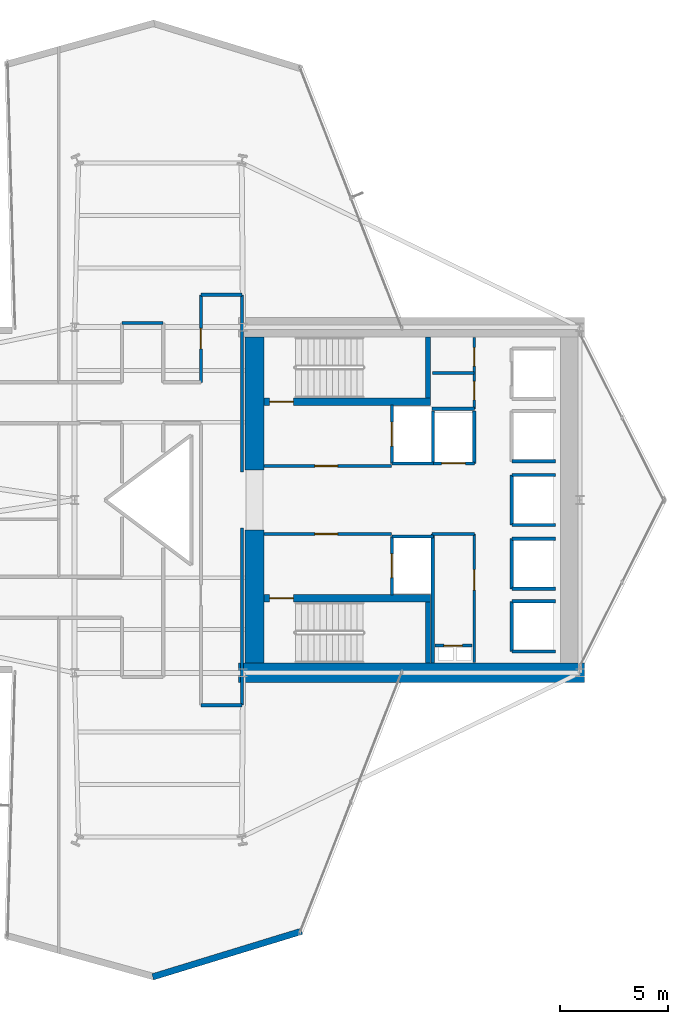
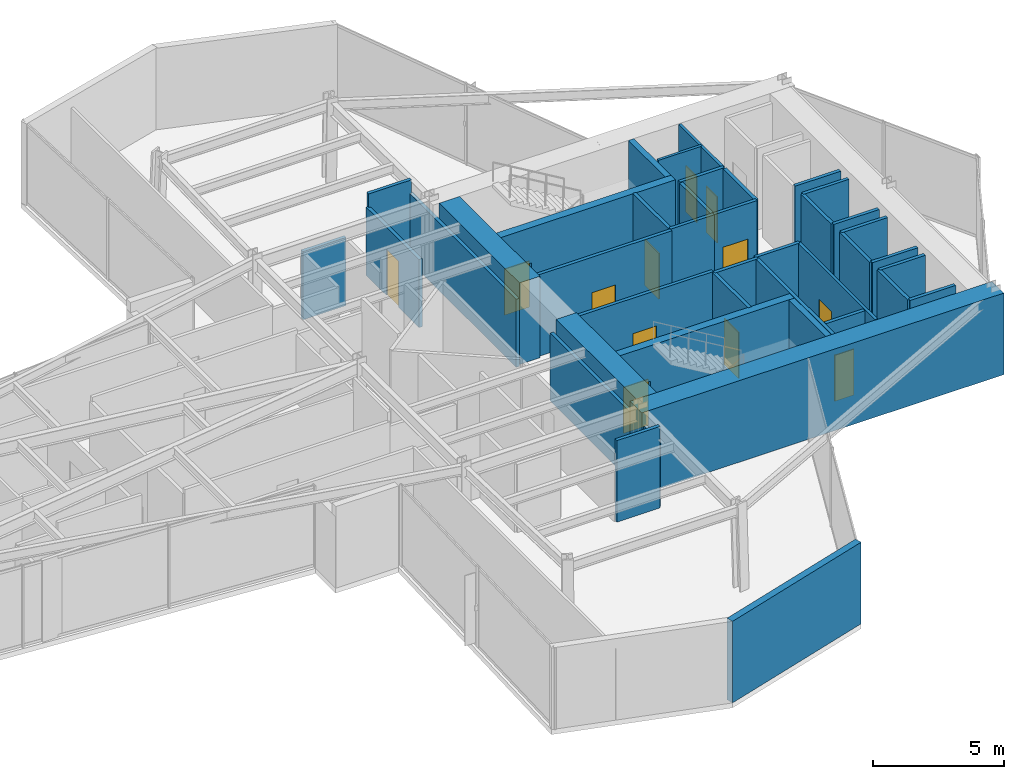
# One storey, part 27 of 29: 40 walls, 12 doors, 12 openings.
"""IFC4 building model written with IfcOpenShell, lengths in metres."""

from ifc_helpers import new_model, si_unit, direction, frame, frame_2d, origin, place, context, subcontext, project, spatial, rectangle, extrude, material, layer, layer_set, type_object, element, fill, save


model = new_model("IFC4")

# Units and contexts
model_context = context("Model", 3, precision=1e-05, world=origin(), true_north=direction((0.0, 1.0)))
body_context = subcontext(model_context, "Body", "Model", "MODEL_VIEW")
ifc_project = project(units=[si_unit("LENGTHUNIT", "METRE"), si_unit("AREAUNIT", "SQUARE_METRE"), si_unit("VOLUMEUNIT", "CUBIC_METRE"), si_unit("PLANEANGLEUNIT", "RADIAN"), si_unit("MASSUNIT", "GRAM", prefix="KILO")], contexts=[model_context])

# Site, building, storey
site_placement = place(None, origin())
site = spatial("IfcSite", under=ifc_project, at=site_placement, CompositionType="ELEMENT")
building_placement = place(site_placement, origin())
building = spatial("IfcBuilding", under=site, at=building_placement, Name="Veymaron Broadcast Tower", CompositionType="ELEMENT")
storey_placement = place(building_placement, frame((0.0, 0.0, 58.050048828125)))
storey = spatial("IfcBuildingStorey", under=building, at=storey_placement, Name="L12", CompositionType="ELEMENT", Elevation=58.050048828125)

# Wall
ifc_material_1 = material(Name="Precast concrete C40/50 with mineral-wool insulation", Category="concrete")
ifc_layer_1 = layer(ifc_material_1, 0.300048828125)
ifc_layer_set_1 = layer_set([ifc_layer_1], Name="Precast concrete C40/50 with mineral-wool insulation")
wall_type_1 = type_object("IfcWallType", Name="WALL-EXT-300", PredefinedType="STANDARD", material=ifc_layer_set_1)
wall_1_placement = place(storey_placement, frame((34.81494140625, 1.91796875, 0.0), z_axis=(0.0, 0.0, 1.0), x_axis=(0.956174816369, 0.292796380685, 0.0)))
element("IfcWall", 1, at=wall_1_placement, inside=storey, type_object=wall_type_1, Name="L12 notched corner facade pier 19-1", PredefinedType="STANDARD", context=body_context, shape_type="SweptSolid", body=[
    extrude(rectangle(XDim=7.212646484375, YDim=0.300048828125, at=frame_2d((3.6064453125, 0.0))), origin(), (0.0, 0.0, 1.0), 3.81005859375),
])

# Wall, opening, door
ifc_material_2 = material(Name="Gypsum fireboard and steel stud framing", Category="steel")
ifc_layer_2 = layer(ifc_material_2, 0.14990234375)
ifc_layer_set_2 = layer_set([ifc_layer_2], Name="Gypsum fireboard and steel stud framing")
wall_type_2 = type_object("IfcWallType", Name="WALL-FIRE-150", PredefinedType="PARTITIONING", material=ifc_layer_set_2)
wall_2_placement = place(storey_placement, frame((39.97998046875, 25.574951171875, 0.0), z_axis=(0.0, 0.0, 1.0), x_axis=(1.0, 0.0, 0.0)))
wall_2 = element("IfcWall", 2, at=wall_2_placement, inside=storey, type_object=wall_type_2, Name="L12 partition IW-L12-FFLN-S", PredefinedType="PARTITIONING", context=body_context, shape_type="SweptSolid", body=[
    extrude(rectangle(XDim=5.89990234375, YDim=0.14990234375, at=frame_2d((2.949951171875, 0.0))), origin(), (0.0, 0.0, 1.0), 3.81005859375),
])
opening_1_placement = place(wall_2_placement, frame((2.35009765625, 0.0, 0.0)))
opening_1 = element("IfcOpeningElement", 3, at=opening_1_placement, cuts=wall_2, Name="Opening ID-FL1", PredefinedType="OPENING", context=body_context, shape_type="SweptSolid", body=[
    extrude(rectangle(XDim=1.050048828125, YDim=2.14990234375, at=frame_2d((0.52490234375, 1.074951171875))), frame((0.0, 0.0849609375, 0.0), z_axis=(0.0, -1.0, 0.0), x_axis=(1.0, 0.0, 0.0)), (0.0, 0.0, 1.0), 0.169921875),
])
ifc_material_3 = material(Name="Fire-rated painted hollow steel ASTM A653", Category="steel")
door_type_1 = type_object("IfcDoorType", Name="DOOR-FIRE-1050", OperationType="NOTDEFINED", PredefinedType="DOOR", material=ifc_material_3)
door_1_placement = place(opening_1_placement, origin())
door_1 = element("IfcDoor", 4, at=door_1_placement, inside=storey, type_object=door_type_1, Name="L12 door DR-L12-FFLN", OperationType="SINGLE_SWING_LEFT", OverallHeight=2.14990234375, OverallWidth=1.050048828125, PredefinedType="DOOR", context=body_context, shape_type="SweptSolid", body=[
    extrude(rectangle(XDim=1.050048828125, YDim=2.14990234375, at=frame_2d((0.52490234375, 1.074951171875))), frame((0.0, 0.02490234375, 0.0), z_axis=(0.0, -1.0, 0.0), x_axis=(1.0, 0.0, 0.0)), (0.0, 0.0, 1.0), 0.050048828125),
])
fill(opening_1, door_1)

wall_3_placement = place(storey_placement, frame((39.97998046875, 22.425048828125, 0.0), z_axis=(0.0, 0.0, 1.0), x_axis=(1.0, 0.0, 0.0)))
wall_3 = element("IfcWall", 5, at=wall_3_placement, inside=storey, type_object=wall_type_2, Name="L12 partition IW-L12-FFLS-N", PredefinedType="PARTITIONING", context=body_context, shape_type="SweptSolid", body=[
    extrude(rectangle(XDim=5.89990234375, YDim=0.14990234375, at=frame_2d((2.949951171875, 0.0))), origin(), (0.0, 0.0, 1.0), 3.81005859375),
])
opening_2_placement = place(wall_3_placement, frame((2.35009765625, 0.0, 0.0)))
opening_2 = element("IfcOpeningElement", 6, at=opening_2_placement, cuts=wall_3, Name="Opening ID-FL1", PredefinedType="OPENING", context=body_context, shape_type="SweptSolid", body=[
    extrude(rectangle(XDim=1.050048828125, YDim=2.14990234375, at=frame_2d((0.52490234375, 1.074951171875))), frame((0.0, 0.0849609375, 0.0), z_axis=(0.0, -1.0, 0.0), x_axis=(1.0, 0.0, 0.0)), (0.0, 0.0, 1.0), 0.169921875),
])
door_2_placement = place(opening_2_placement, frame((1.050048828125, 0.0, 0.0), z_axis=(0.0, 0.0, 1.0), x_axis=(-1.0, 0.0, 0.0)))
door_2 = element("IfcDoor", 7, at=door_2_placement, inside=storey, type_object=door_type_1, Name="L12 door DR-L12-FFLS", OperationType="SINGLE_SWING_RIGHT", OverallHeight=2.14990234375, OverallWidth=1.050048828125, PredefinedType="DOOR", context=body_context, shape_type="SweptSolid", body=[
    extrude(rectangle(XDim=1.050048828125, YDim=2.14990234375, at=frame_2d((0.52490234375, 1.074951171875))), frame((0.0, 0.02490234375, 0.0), z_axis=(0.0, -1.0, 0.0), x_axis=(1.0, 0.0, 0.0)), (0.0, 0.0, 1.0), 0.050048828125),
])
fill(opening_2, door_2)

wall_4_placement = place(storey_placement, frame((45.89501953125, 25.68994140625, 0.0), z_axis=(0.0, 0.0, 1.0), x_axis=(0.0, 1.0, 0.0)))
wall_4 = element("IfcWall", 8, at=wall_4_placement, inside=storey, type_object=wall_type_2, Name="L12 partition IW-L12-SHW-FFL-1", PredefinedType="PARTITIONING", context=body_context, shape_type="SweptSolid", body=[
    extrude(rectangle(XDim=2.719970703125, YDim=0.14990234375, at=frame_2d((1.35986328125, 0.0))), origin(), (0.0, 0.0, 1.0), 3.81005859375),
])
opening_3_placement = place(wall_4_placement, frame((0.81005859375, 0.0, 0.0)))
opening_3 = element("IfcOpeningElement", 9, at=opening_3_placement, cuts=wall_4, Name="Opening LD", PredefinedType="OPENING", context=body_context, shape_type="SweptSolid", body=[
    extrude(rectangle(XDim=1.10009765625, YDim=2.14990234375, at=frame_2d((0.550048828125, 1.074951171875))), frame((0.0, 0.0849609375, 0.0), z_axis=(0.0, -1.0, 0.0), x_axis=(1.0, 0.0, 0.0)), (0.0, 0.0, 1.0), 0.169921875),
])
ifc_material_4 = material(Name="Brushed stainless steel AISI 304", Category="steel")
door_type_2 = type_object("IfcDoorType", Name="DOOR-LIFT-1100", OperationType="DOUBLE_DOOR_SLIDING", PredefinedType="DOOR", material=ifc_material_4)
door_3_placement = place(opening_3_placement, frame((1.10009765625, 0.0, 0.0), z_axis=(0.0, 0.0, 1.0), x_axis=(-1.0, 0.0, 0.0)))
door_3 = element("IfcDoor", 10, at=door_3_placement, inside=storey, type_object=door_type_2, Name="L12 door LD-L12-FFL-1", OperationType="DOUBLE_DOOR_SLIDING", OverallHeight=2.14990234375, OverallWidth=1.10009765625, PredefinedType="DOOR", context=body_context, shape_type="SweptSolid", body=[
    extrude(rectangle(XDim=1.10009765625, YDim=2.14990234375, at=frame_2d((0.550048828125, 1.074951171875))), frame((0.0, 0.02490234375, 0.0), z_axis=(0.0, -1.0, 0.0), x_axis=(1.0, 0.0, 0.0)), (0.0, 0.0, 1.0), 0.050048828125),
])
fill(opening_3, door_3)

# Wall
wall_5_placement = place(storey_placement, frame((45.89501953125, 25.68994140625, 0.0), z_axis=(0.0, 0.0, 1.0), x_axis=(1.0, 0.0, 0.0)))
element("IfcWall", 11, at=wall_5_placement, inside=storey, type_object=wall_type_2, Name="L12 partition IW-L12-SHS-FFL-1", PredefinedType="PARTITIONING", context=body_context, shape_type="SweptSolid", body=[
    extrude(rectangle(XDim=1.9150390625, YDim=0.14990234375, at=frame_2d((0.95751953125, 0.0))), origin(), (0.0, 0.0, 1.0), 3.81005859375),
])

# Wall, opening, door
wall_6_placement = place(storey_placement, frame((45.89501953125, 19.590087890625, 0.0), z_axis=(0.0, 0.0, 1.0), x_axis=(0.0, 1.0, 0.0)))
wall_6 = element("IfcWall", 12, at=wall_6_placement, inside=storey, type_object=wall_type_2, Name="L12 partition IW-L12-SHW-FFL-2", PredefinedType="PARTITIONING", context=body_context, shape_type="SweptSolid", body=[
    extrude(rectangle(XDim=2.719970703125, YDim=0.14990234375, at=frame_2d((1.35986328125, 0.0))), origin(), (0.0, 0.0, 1.0), 3.81005859375),
])
opening_4_placement = place(wall_6_placement, frame((0.81005859375, 0.0, 0.0)))
opening_4 = element("IfcOpeningElement", 13, at=opening_4_placement, cuts=wall_6, Name="Opening LD", PredefinedType="OPENING", context=body_context, shape_type="SweptSolid", body=[
    extrude(rectangle(XDim=1.10009765625, YDim=2.14990234375, at=frame_2d((0.550048828125, 1.074951171875))), frame((0.0, 0.0849609375, 0.0), z_axis=(0.0, -1.0, 0.0), x_axis=(1.0, 0.0, 0.0)), (0.0, 0.0, 1.0), 0.169921875),
])
door_4_placement = place(opening_4_placement, frame((1.10009765625, 0.0, 0.0), z_axis=(0.0, 0.0, 1.0), x_axis=(-1.0, 0.0, 0.0)))
door_4 = element("IfcDoor", 14, at=door_4_placement, inside=storey, type_object=door_type_2, Name="L12 door LD-L12-FFL-2", OperationType="DOUBLE_DOOR_SLIDING", OverallHeight=2.14990234375, OverallWidth=1.10009765625, PredefinedType="DOOR", context=body_context, shape_type="SweptSolid", body=[
    extrude(rectangle(XDim=1.10009765625, YDim=2.14990234375, at=frame_2d((0.550048828125, 1.074951171875))), frame((0.0, 0.02490234375, 0.0), z_axis=(0.0, -1.0, 0.0), x_axis=(1.0, 0.0, 0.0)), (0.0, 0.0, 1.0), 0.050048828125),
])
fill(opening_4, door_4)

# Wall
wall_7_placement = place(storey_placement, frame((45.89501953125, 22.31005859375, 0.0), z_axis=(0.0, 0.0, 1.0), x_axis=(1.0, 0.0, 0.0)))
element("IfcWall", 15, at=wall_7_placement, inside=storey, type_object=wall_type_2, Name="L12 partition IW-L12-SHN-FFL-2", PredefinedType="PARTITIONING", context=body_context, shape_type="SweptSolid", body=[
    extrude(rectangle(XDim=1.9150390625, YDim=0.14990234375, at=frame_2d((0.95751953125, 0.0))), origin(), (0.0, 0.0, 1.0), 3.81005859375),
])

# Wall, opening, door
wall_8_placement = place(storey_placement, frame((47.7900390625, 25.695068359375, 0.0), z_axis=(0.0, 0.0, 1.0), x_axis=(1.0, 0.0, 0.0)))
wall_8 = element("IfcWall", 16, at=wall_8_placement, inside=storey, type_object=wall_type_2, Name="L12 partition IW-L12-SHS-SL-1", PredefinedType="PARTITIONING", context=body_context, shape_type="SweptSolid", body=[
    extrude(rectangle(XDim=1.919921875, YDim=0.14990234375, at=frame_2d((0.9599609375, 0.0))), origin(), (0.0, 0.0, 1.0), 3.81005859375),
])
opening_5_placement = place(wall_8_placement, frame((0.409912109375, 0.0, 0.0)))
opening_5 = element("IfcOpeningElement", 17, at=opening_5_placement, cuts=wall_8, Name="Opening LD", PredefinedType="OPENING", context=body_context, shape_type="SweptSolid", body=[
    extrude(rectangle(XDim=1.10009765625, YDim=2.14990234375, at=frame_2d((0.550048828125, 1.074951171875))), frame((0.0, 0.0849609375, 0.0), z_axis=(0.0, -1.0, 0.0), x_axis=(1.0, 0.0, 0.0)), (0.0, 0.0, 1.0), 0.169921875),
])
door_5_placement = place(opening_5_placement, frame((1.10009765625, 0.0, 0.0), z_axis=(0.0, 0.0, 1.0), x_axis=(-1.0, 0.0, 0.0)))
door_5 = element("IfcDoor", 18, at=door_5_placement, inside=storey, type_object=door_type_2, Name="L12 door LD-L12-SL-1", OperationType="DOUBLE_DOOR_SLIDING", OverallHeight=2.14990234375, OverallWidth=1.10009765625, PredefinedType="DOOR", context=body_context, shape_type="SweptSolid", body=[
    extrude(rectangle(XDim=1.10009765625, YDim=2.14990234375, at=frame_2d((0.550048828125, 1.074951171875))), frame((0.0, 0.02490234375, 0.0), z_axis=(0.0, -1.0, 0.0), x_axis=(1.0, 0.0, 0.0)), (0.0, 0.0, 1.0), 0.050048828125),
])
fill(opening_5, door_5)

# Walls
for number, where, z_axis, x_axis, name in (
    (19, (47.7900390625, 25.695068359375, 0.0), (0.0, 0.0, 1.0), (0.0, 1.0, 0.0), "L12 partition IW-L12-SHW-SL-1"),
    (20, (49.7099609375, 25.695068359375, 0.0), (0.0, 0.0, 1.0), (0.0, 1.0, 0.0), "L12 partition IW-L12-SHE-SL-1"),
):
    element("IfcWall", number, at=place(storey_placement, frame(where, z_axis=z_axis, x_axis=x_axis)), inside=storey, type_object=wall_type_2, Name=name, PredefinedType="PARTITIONING", context=body_context, shape_type="SweptSolid", body=[
        extrude(rectangle(XDim=2.4150390625, YDim=0.14990234375, at=frame_2d((1.20751953125, 0.0))), origin(), (0.0, 0.0, 1.0), 3.81005859375),
    ])
wall_9_placement = place(storey_placement, frame((51.445068359375, 25.7900390625, 0.0), z_axis=(0.0, 0.0, 1.0), x_axis=(1.0, 0.0, 0.0)))
element("IfcWall", 21, at=wall_9_placement, inside=storey, type_object=wall_type_2, Name="L12 partition IW-L12-SHS-PM1", PredefinedType="PARTITIONING", context=body_context, shape_type="SweptSolid", body=[
    extrude(rectangle(XDim=2.014892578125, YDim=0.14990234375, at=frame_2d((1.00732421875, 0.0))), origin(), (0.0, 0.0, 1.0), 3.81005859375),
])
wall_10_placement = place(storey_placement, frame((51.445068359375, 19.889892578125, 0.0), z_axis=(0.0, 0.0, 1.0), x_axis=(0.0, 1.0, 0.0)))
element("IfcWall", 22, at=wall_10_placement, inside=storey, type_object=wall_type_2, Name="L12 partition IW-L12-SHW-PM2", PredefinedType="PARTITIONING", context=body_context, shape_type="SweptSolid", body=[
    extrude(rectangle(XDim=2.320068359375, YDim=0.14990234375, at=frame_2d((1.16015625, 0.0))), origin(), (0.0, 0.0, 1.0), 3.81005859375),
])
for number, where, z_axis, x_axis, name in (
    (23, (51.445068359375, 19.889892578125, 0.0), (0.0, 0.0, 1.0), (1.0, 0.0, 0.0), "L12 partition IW-L12-SHS-PM2"),
    (24, (51.445068359375, 22.2099609375, 0.0), (0.0, 0.0, 1.0), (1.0, 0.0, 0.0), "L12 partition IW-L12-SHN-PM2"),
):
    element("IfcWall", number, at=place(storey_placement, frame(where, z_axis=z_axis, x_axis=x_axis)), inside=storey, type_object=wall_type_2, Name=name, PredefinedType="PARTITIONING", context=body_context, shape_type="SweptSolid", body=[
        extrude(rectangle(XDim=2.014892578125, YDim=0.14990234375, at=frame_2d((1.00732421875, 0.0))), origin(), (0.0, 0.0, 1.0), 3.81005859375),
    ])
wall_11_placement = place(storey_placement, frame((51.445068359375, 22.840087890625, 0.0), z_axis=(0.0, 0.0, 1.0), x_axis=(0.0, 1.0, 0.0)))
element("IfcWall", 25, at=wall_11_placement, inside=storey, type_object=wall_type_2, Name="L12 partition IW-L12-SHW-PM3", PredefinedType="PARTITIONING", context=body_context, shape_type="SweptSolid", body=[
    extrude(rectangle(XDim=2.31982421875, YDim=0.14990234375, at=frame_2d((1.159912109375, 0.0))), origin(), (0.0, 0.0, 1.0), 3.81005859375),
])
for number, where, z_axis, x_axis, name in (
    (26, (51.445068359375, 22.840087890625, 0.0), (0.0, 0.0, 1.0), (1.0, 0.0, 0.0), "L12 partition IW-L12-SHS-PM3"),
    (27, (51.445068359375, 25.159912109375, 0.0), (0.0, 0.0, 1.0), (1.0, 0.0, 0.0), "L12 partition IW-L12-SHN-PM3"),
):
    element("IfcWall", number, at=place(storey_placement, frame(where, z_axis=z_axis, x_axis=x_axis)), inside=storey, type_object=wall_type_2, Name=name, PredefinedType="PARTITIONING", context=body_context, shape_type="SweptSolid", body=[
        extrude(rectangle(XDim=2.014892578125, YDim=0.14990234375, at=frame_2d((1.00732421875, 0.0))), origin(), (0.0, 0.0, 1.0), 3.81005859375),
    ])
wall_12_placement = place(storey_placement, frame((51.445068359375, 16.989990234375, 0.0), z_axis=(0.0, 0.0, 1.0), x_axis=(0.0, 1.0, 0.0)))
element("IfcWall", 28, at=wall_12_placement, inside=storey, type_object=wall_type_2, Name="L12 partition IW-L12-SHW-PH1", PredefinedType="PARTITIONING", context=body_context, shape_type="SweptSolid", body=[
    extrude(rectangle(XDim=2.320068359375, YDim=0.14990234375, at=frame_2d((1.16015625, 0.0))), origin(), (0.0, 0.0, 1.0), 3.81005859375),
])
for number, where, z_axis, x_axis, name in (
    (29, (51.445068359375, 16.989990234375, 0.0), (0.0, 0.0, 1.0), (1.0, 0.0, 0.0), "L12 partition IW-L12-SHS-PH1"),
    (30, (51.445068359375, 19.31005859375, 0.0), (0.0, 0.0, 1.0), (1.0, 0.0, 0.0), "L12 partition IW-L12-SHN-PH1"),
):
    element("IfcWall", number, at=place(storey_placement, frame(where, z_axis=z_axis, x_axis=x_axis)), inside=storey, type_object=wall_type_2, Name=name, PredefinedType="PARTITIONING", context=body_context, shape_type="SweptSolid", body=[
        extrude(rectangle(XDim=2.014892578125, YDim=0.14990234375, at=frame_2d((1.00732421875, 0.0))), origin(), (0.0, 0.0, 1.0), 3.81005859375),
    ])

# Wall, opening, door
wall_13_placement = place(storey_placement, frame((47.8798828125, 17.260009765625, 0.0), z_axis=(0.0, 0.0, 1.0), x_axis=(1.0, 0.0, 0.0)))
wall_13 = element("IfcWall", 31, at=wall_13_placement, inside=storey, type_object=wall_type_2, Name="L12 partition IW-L12-RIS-N", PredefinedType="PARTITIONING", context=body_context, shape_type="SweptSolid", body=[
    extrude(rectangle(XDim=1.72021484375, YDim=0.14990234375, at=frame_2d((0.860107421875, 0.0))), origin(), (0.0, 0.0, 1.0), 3.81005859375),
])
opening_6_placement = place(wall_13_placement, frame((0.419921875, 0.0, 0.0)))
opening_6 = element("IfcOpeningElement", 32, at=opening_6_placement, cuts=wall_13, Name="Opening ID-RS1", PredefinedType="OPENING", context=body_context, shape_type="SweptSolid", body=[
    extrude(rectangle(XDim=0.85009765625, YDim=2.14990234375, at=frame_2d((0.425048828125, 1.074951171875))), frame((0.0, 0.0849609375, 0.0), z_axis=(0.0, -1.0, 0.0), x_axis=(1.0, 0.0, 0.0)), (0.0, 0.0, 1.0), 0.169921875),
])
ifc_material_5 = material(Name="Fire-rated powder-coated steel riser leaf", Category="steel")
door_type_3 = type_object("IfcDoorType", Name="DOOR-RIS-850", OperationType="NOTDEFINED", PredefinedType="TRAPDOOR", material=ifc_material_5)
door_6_placement = place(opening_6_placement, origin())
door_6 = element("IfcDoor", 33, at=door_6_placement, inside=storey, type_object=door_type_3, Name="L12 door DR-L12-RIS", OperationType="SINGLE_SWING_LEFT", OverallHeight=2.14990234375, OverallWidth=0.85009765625, PredefinedType="TRAPDOOR", context=body_context, shape_type="SweptSolid", body=[
    extrude(rectangle(XDim=0.85009765625, YDim=2.14990234375, at=frame_2d((0.425048828125, 1.074951171875))), frame((0.0, 0.02490234375, 0.0), z_axis=(0.0, -1.0, 0.0), x_axis=(1.0, 0.0, 0.0)), (0.0, 0.0, 1.0), 0.050048828125),
])
fill(opening_6, door_6)

# Walls
wall_14_placement = place(storey_placement, frame((47.760009765625, 22.425048828125, 0.0), z_axis=(0.0, 0.0, 1.0), x_axis=(1.0, 0.0, 0.0)))
element("IfcWall", 34, at=wall_14_placement, inside=storey, type_object=wall_type_2, Name="L12 partition IW-L12-SM-N", PredefinedType="PARTITIONING", context=body_context, shape_type="SweptSolid", body=[
    extrude(rectangle(XDim=1.9599609375, YDim=0.14990234375, at=frame_2d((0.97998046875, 0.0))), origin(), (0.0, 0.0, 1.0), 3.81005859375),
])
wall_15_placement = place(storey_placement, frame((47.780029296875, 16.449951171875, 0.0), z_axis=(0.0, 0.0, 1.0), x_axis=(0.0, 1.0, 0.0)))
element("IfcWall", 35, at=wall_15_placement, inside=storey, type_object=wall_type_2, Name="L12 partition IW-L12-SM-W", PredefinedType="PARTITIONING", context=body_context, shape_type="SweptSolid", body=[
    extrude(rectangle(XDim=5.97509765625, YDim=0.14990234375, at=frame_2d((2.987548828125, 0.0))), origin(), (0.0, 0.0, 1.0), 3.81005859375),
])
wall_16_placement = place(storey_placement, frame((47.760009765625, 28.219970703125, 0.0), z_axis=(0.0, 0.0, 1.0), x_axis=(1.0, 0.0, 0.0)))
element("IfcWall", 36, at=wall_16_placement, inside=storey, type_object=wall_type_2, Name="L12 partition IW-L12-NM-S", PredefinedType="PARTITIONING", context=body_context, shape_type="SweptSolid", body=[
    extrude(rectangle(XDim=1.9599609375, YDim=0.14990234375, at=frame_2d((0.97998046875, 0.0))), origin(), (0.0, 0.0, 1.0), 3.81005859375),
])

# Wall, opening, door
wall_17_placement = place(storey_placement, frame((37.050048828125, 29.449951171875, 0.0), z_axis=(0.0, 0.0, 1.0), x_axis=(0.0, 1.0, 0.0)))
wall_17 = element("IfcWall", 37, at=wall_17_placement, inside=storey, type_object=wall_type_2, Name="L12 partition IW-L12-P31", PredefinedType="PARTITIONING", context=body_context, shape_type="SweptSolid", body=[
    extrude(rectangle(XDim=4.050048828125, YDim=0.14990234375, at=frame_2d((2.02490234375, 0.0))), origin(), (0.0, 0.0, 1.0), 3.180908203125),
])
opening_7_placement = place(wall_17_placement, frame((1.550048828125, 0.0, 0.0)))
opening_7 = element("IfcOpeningElement", 38, at=opening_7_placement, cuts=wall_17, Name="Opening ID-RM1", PredefinedType="OPENING", context=body_context, shape_type="SweptSolid", body=[
    extrude(rectangle(XDim=0.949951171875, YDim=2.14990234375, at=frame_2d((0.47509765625, 1.074951171875))), frame((0.0, 0.0849609375, 0.0), z_axis=(0.0, -1.0, 0.0), x_axis=(1.0, 0.0, 0.0)), (0.0, 0.0, 1.0), 0.169921875),
])
ifc_material_6 = material(Name="Acoustic solid-core European oak veneer timber", Category="wood")
door_type_4 = type_object("IfcDoorType", Name="DOOR-INT-950", OperationType="NOTDEFINED", PredefinedType="DOOR", material=ifc_material_6)
door_7_placement = place(opening_7_placement, origin())
door_7 = element("IfcDoor", 39, at=door_7_placement, inside=storey, type_object=door_type_4, Name="L12 door DR-L12-P31", OperationType="SINGLE_SWING_RIGHT", OverallHeight=2.14990234375, OverallWidth=0.949951171875, PredefinedType="DOOR", context=body_context, shape_type="SweptSolid", body=[
    extrude(rectangle(XDim=0.949951171875, YDim=2.14990234375, at=frame_2d((0.47509765625, 1.074951171875))), frame((0.0, 0.02490234375, 0.0), z_axis=(0.0, -1.0, 0.0), x_axis=(1.0, 0.0, 0.0)), (0.0, 0.0, 1.0), 0.050048828125),
])
fill(opening_7, door_7)

# Walls
wall_18_placement = place(storey_placement, frame((38.949951171875, 14.5, 0.0), z_axis=(0.0, 0.0, 1.0), x_axis=(0.0, 1.0, 0.0)))
element("IfcWall", 40, at=wall_18_placement, inside=storey, type_object=wall_type_2, Name="L12 partition IW-L12-P02", PredefinedType="PARTITIONING", context=body_context, shape_type="SweptSolid", body=[
    extrude(rectangle(XDim=8.199951171875, YDim=0.14990234375, at=frame_2d((4.10009765625, 0.0))), origin(), (0.0, 0.0, 1.0), 3.180908203125),
])
wall_19_placement = place(storey_placement, frame((37.050048828125, 14.5, 0.0), z_axis=(0.0, 0.0, 1.0), x_axis=(1.0, 0.0, 0.0)))
element("IfcWall", 41, at=wall_19_placement, inside=storey, type_object=wall_type_2, Name="L12 partition IW-L12-P06", PredefinedType="PARTITIONING", context=body_context, shape_type="SweptSolid", body=[
    extrude(rectangle(XDim=1.89990234375, YDim=0.14990234375, at=frame_2d((0.949951171875, 0.0))), origin(), (0.0, 0.0, 1.0), 3.81005859375),
])
wall_20_placement = place(storey_placement, frame((38.949951171875, 25.300048828125, 0.0), z_axis=(0.0, 0.0, 1.0), x_axis=(0.0, 1.0, 0.0)))
element("IfcWall", 42, at=wall_20_placement, inside=storey, type_object=wall_type_2, Name="L12 partition IW-L12-P30", PredefinedType="PARTITIONING", context=body_context, shape_type="SweptSolid", body=[
    extrude(rectangle(XDim=8.199951171875, YDim=0.14990234375, at=frame_2d((4.10009765625, 0.0))), origin(), (0.0, 0.0, 1.0), 3.180908203125),
])
wall_21_placement = place(storey_placement, frame((37.050048828125, 33.5, 0.0), z_axis=(0.0, 0.0, 1.0), x_axis=(1.0, 0.0, 0.0)))
element("IfcWall", 43, at=wall_21_placement, inside=storey, type_object=wall_type_2, Name="L12 partition IW-L12-P35", PredefinedType="PARTITIONING", context=body_context, shape_type="SweptSolid", body=[
    extrude(rectangle(XDim=1.89990234375, YDim=0.14990234375, at=frame_2d((0.949951171875, 0.0))), origin(), (0.0, 0.0, 1.0), 3.81005859375),
])
wall_22_placement = place(storey_placement, frame((33.39990234375, 32.199951171875, 0.0), z_axis=(0.0, 0.0, 1.0), x_axis=(1.0, 0.0, 0.0)))
element("IfcWall", 44, at=wall_22_placement, inside=storey, type_object=wall_type_2, Name="L12 partition IW-L12-P36", PredefinedType="PARTITIONING", context=body_context, shape_type="SweptSolid", body=[
    extrude(rectangle(XDim=1.900146484375, YDim=0.14990234375, at=frame_2d((0.9501953125, 0.0))), origin(), (0.0, 0.0, 1.0), 3.180908203125),
])

# Wall, opening, door
ifc_material_7 = material(Name="Acoustic gypsum board and galvanized stud", Category="gypsum")
ifc_layer_3 = layer(ifc_material_7, 0.1201171875)
ifc_layer_set_3 = layer_set([ifc_layer_3], Name="Acoustic gypsum board and galvanized stud")
wall_type_3 = type_object("IfcWallType", Name="WALL-PART-120", PredefinedType="PARTITIONING", material=ifc_layer_set_3)
wall_23_placement = place(storey_placement, frame((49.699951171875, 16.47998046875, 0.0), z_axis=(0.0, 0.0, 1.0), x_axis=(0.0, 1.0, 0.0)))
wall_23 = element("IfcWall", 45, at=wall_23_placement, inside=storey, type_object=wall_type_3, Name="L12 partition IW-L12-SM-E", PredefinedType="PARTITIONING", context=body_context, shape_type="SweptSolid", body=[
    extrude(rectangle(XDim=5.945068359375, YDim=0.1201171875, at=frame_2d((2.97265625, 0.0))), origin(), (0.0, 0.0, 1.0), 3.81005859375),
])
opening_8_placement = place(wall_23_placement, frame((3.35009765625, 0.0, 0.0)))
opening_8 = element("IfcOpeningElement", 46, at=opening_8_placement, cuts=wall_23, Name="Opening ID-RM1", PredefinedType="OPENING", context=body_context, shape_type="SweptSolid", body=[
    extrude(rectangle(XDim=0.949951171875, YDim=2.14990234375, at=frame_2d((0.47509765625, 1.074951171875))), frame((0.0, 0.070068359375, 0.0), z_axis=(0.0, -1.0, 0.0), x_axis=(1.0, 0.0, 0.0)), (0.0, 0.0, 1.0), 0.14013671875),
])
door_8_placement = place(opening_8_placement, frame((0.949951171875, 0.0, 0.0), z_axis=(0.0, 0.0, 1.0), x_axis=(-1.0, 0.0, 0.0)))
door_8 = element("IfcDoor", 47, at=door_8_placement, inside=storey, type_object=door_type_4, Name="L12 door DR-L12-AWC", OperationType="SINGLE_SWING_LEFT", OverallHeight=2.14990234375, OverallWidth=0.949951171875, PredefinedType="DOOR", context=body_context, shape_type="SweptSolid", body=[
    extrude(rectangle(XDim=0.949951171875, YDim=2.14990234375, at=frame_2d((0.47509765625, 1.074951171875))), frame((0.0, 0.02490234375, 0.0), z_axis=(0.0, -1.0, 0.0), x_axis=(1.0, 0.0, 0.0)), (0.0, 0.0, 1.0), 0.050048828125),
])
fill(opening_8, door_8)

# Wall
wall_24_placement = place(storey_placement, frame((47.780029296875, 29.8798828125, 0.0), z_axis=(0.0, 0.0, 1.0), x_axis=(1.0, 0.0, 0.0)))
element("IfcWall", 48, at=wall_24_placement, inside=storey, type_object=wall_type_3, Name="L12 partition IW-L12-NM-M", PredefinedType="PARTITIONING", context=body_context, shape_type="SweptSolid", body=[
    extrude(rectangle(XDim=1.919921875, YDim=0.1201171875, at=frame_2d((0.9599609375, 0.0))), origin(), (0.0, 0.0, 1.0), 3.81005859375),
])

# Wall, openings, doors
wall_25_placement = place(storey_placement, frame((49.699951171875, 28.219970703125, 0.0), z_axis=(0.0, 0.0, 1.0), x_axis=(0.0, 1.0, 0.0)))
wall_25 = element("IfcWall", 49, at=wall_25_placement, inside=storey, type_object=wall_type_3, Name="L12 partition IW-L12-NM-E", PredefinedType="PARTITIONING", context=body_context, shape_type="SweptSolid", body=[
    extrude(rectangle(XDim=3.300048828125, YDim=0.1201171875, at=frame_2d((1.64990234375, 0.0))), origin(), (0.0, 0.0, 1.0), 3.81005859375),
])
opening_9_placement = place(wall_25_placement, frame((0.419921875, 0.0, 0.0)))
opening_9 = element("IfcOpeningElement", 50, at=opening_9_placement, cuts=wall_25, Name="Opening ID-WC1", PredefinedType="OPENING", context=body_context, shape_type="SweptSolid", body=[
    extrude(rectangle(XDim=0.85009765625, YDim=2.14990234375, at=frame_2d((0.425048828125, 1.074951171875))), frame((0.0, 0.070068359375, 0.0), z_axis=(0.0, -1.0, 0.0), x_axis=(1.0, 0.0, 0.0)), (0.0, 0.0, 1.0), 0.14013671875),
])
opening_10_placement = place(wall_25_placement, frame((1.97998046875, 0.0, 0.0)))
opening_10 = element("IfcOpeningElement", 51, at=opening_10_placement, cuts=wall_25, Name="Opening ID-WC1", PredefinedType="OPENING", context=body_context, shape_type="SweptSolid", body=[
    extrude(rectangle(XDim=0.85009765625, YDim=2.14990234375, at=frame_2d((0.425048828125, 1.074951171875))), frame((0.0, 0.070068359375, 0.0), z_axis=(0.0, -1.0, 0.0), x_axis=(1.0, 0.0, 0.0)), (0.0, 0.0, 1.0), 0.14013671875),
])
ifc_material_8 = material(Name="Moisture-resistant high-pressure laminate timber", Category="wood")
door_type_5 = type_object("IfcDoorType", Name="DOOR-INT-850", OperationType="NOTDEFINED", PredefinedType="DOOR", material=ifc_material_8)
door_9_placement = place(opening_9_placement, frame((0.85009765625, 0.0, 0.0), z_axis=(0.0, 0.0, 1.0), x_axis=(-1.0, 0.0, 0.0)))
door_9 = element("IfcDoor", 52, at=door_9_placement, inside=storey, type_object=door_type_5, Name="L12 door DR-L12-NMA", OperationType="SINGLE_SWING_LEFT", OverallHeight=2.14990234375, OverallWidth=0.85009765625, PredefinedType="DOOR", context=body_context, shape_type="SweptSolid", body=[
    extrude(rectangle(XDim=0.85009765625, YDim=2.14990234375, at=frame_2d((0.425048828125, 1.074951171875))), frame((0.0, 0.02490234375, 0.0), z_axis=(0.0, -1.0, 0.0), x_axis=(1.0, 0.0, 0.0)), (0.0, 0.0, 1.0), 0.050048828125),
])
fill(opening_9, door_9)
door_10_placement = place(opening_10_placement, frame((0.85009765625, 0.0, 0.0), z_axis=(0.0, 0.0, 1.0), x_axis=(-1.0, 0.0, 0.0)))
door_10 = element("IfcDoor", 53, at=door_10_placement, inside=storey, type_object=door_type_5, Name="L12 door DR-L12-NMB", OperationType="SINGLE_SWING_RIGHT", OverallHeight=2.14990234375, OverallWidth=0.85009765625, PredefinedType="DOOR", context=body_context, shape_type="SweptSolid", body=[
    extrude(rectangle(XDim=0.85009765625, YDim=2.14990234375, at=frame_2d((0.425048828125, 1.074951171875))), frame((0.0, 0.02490234375, 0.0), z_axis=(0.0, -1.0, 0.0), x_axis=(1.0, 0.0, 0.0)), (0.0, 0.0, 1.0), 0.050048828125),
])
fill(opening_10, door_10)

# Walls
ifc_material_9 = material(Name="Concrete C50/60", Category="concrete")
ifc_layer_4 = layer(ifc_material_9, 0.25)
ifc_layer_set_4 = layer_set([ifc_layer_4], Name="Concrete C50/60")
wall_type_4 = type_object("IfcWallType", Name="WALL-SHEAR-250", PredefinedType="SHEAR", material=ifc_layer_set_4)
for number, where, z_axis, x_axis, name in (
    (54, (47.56494140625, 28.72998046875, 0.0), (0.0, 0.0, 1.0), (0.0, 1.0, 0.0), "L12 Core Wall north stair east shear"),
    (55, (47.56494140625, 16.449951171875, 0.0), (0.0, 0.0, 1.0), (0.0, 1.0, 0.0), "L12 Core Wall south stair east shear"),
):
    element("IfcWall", number, at=place(storey_placement, frame(where, z_axis=z_axis, x_axis=x_axis)), inside=storey, type_object=wall_type_4, Name=name, PredefinedType="SHEAR", context=body_context, shape_type="SweptSolid", body=[
        extrude(rectangle(XDim=2.820068359375, YDim=0.25, at=frame_2d((1.41015625, 0.0))), origin(), (0.0, 0.0, 1.0), 3.81005859375),
    ])

# Wall, opening, door
ifc_layer_5 = layer(ifc_material_9, 0.35009765625)
ifc_layer_set_5 = layer_set([ifc_layer_5], Name="Concrete C50/60")
wall_type_5 = type_object("IfcWallType", Name="WALL-SHEAR-350", PredefinedType="SHEAR", material=ifc_layer_set_5)
wall_26_placement = place(storey_placement, frame((39.97998046875, 28.554931640625, 0.0), z_axis=(0.0, 0.0, 1.0), x_axis=(1.0, 0.0, 0.0)))
wall_26 = element("IfcWall", 56, at=wall_26_placement, inside=storey, type_object=wall_type_5, Name="L12 Core Wall north stair spine", PredefinedType="SHEAR", context=body_context, shape_type="SweptSolid", body=[
    extrude(rectangle(XDim=7.7099609375, YDim=0.35009765625, at=frame_2d((3.85498046875, 0.0))), origin(), (0.0, 0.0, 1.0), 3.81005859375),
])
opening_11_placement = place(wall_26_placement, frame((0.25, 0.0, 0.0)))
opening_11 = element("IfcOpeningElement", 57, at=opening_11_placement, cuts=wall_26, Name="Opening ID-ST1", PredefinedType="OPENING", context=body_context, shape_type="SweptSolid", body=[
    extrude(rectangle(XDim=1.10009765625, YDim=2.14990234375, at=frame_2d((0.550048828125, 1.074951171875))), frame((0.0, 0.18505859375, 0.0), z_axis=(0.0, -1.0, 0.0), x_axis=(1.0, 0.0, 0.0)), (0.0, 0.0, 1.0), 0.3701171875),
])
door_type_6 = type_object("IfcDoorType", Name="DOOR-STAIR-1100", OperationType="NOTDEFINED", PredefinedType="DOOR", material=ifc_material_3)
door_11_placement = place(opening_11_placement, origin())
door_11 = element("IfcDoor", 58, at=door_11_placement, inside=storey, type_object=door_type_6, Name="L12 exit stair ST1 fire door", OperationType="SINGLE_SWING_LEFT", OverallHeight=2.14990234375, OverallWidth=1.10009765625, PredefinedType="DOOR", context=body_context, shape_type="SweptSolid", body=[
    extrude(rectangle(XDim=1.10009765625, YDim=2.14990234375, at=frame_2d((0.550048828125, 1.074951171875))), frame((0.0, 0.02490234375, 0.0), z_axis=(0.0, -1.0, 0.0), x_axis=(1.0, 0.0, 0.0)), (0.0, 0.0, 1.0), 0.050048828125),
])
fill(opening_11, door_11)

wall_27_placement = place(storey_placement, frame((39.97998046875, 19.445068359375, 0.0), z_axis=(0.0, 0.0, 1.0), x_axis=(1.0, 0.0, 0.0)))
wall_27 = element("IfcWall", 59, at=wall_27_placement, inside=storey, type_object=wall_type_5, Name="L12 Core Wall south stair spine", PredefinedType="SHEAR", context=body_context, shape_type="SweptSolid", body=[
    extrude(rectangle(XDim=7.7099609375, YDim=0.35009765625, at=frame_2d((3.85498046875, 0.0))), origin(), (0.0, 0.0, 1.0), 3.81005859375),
])
opening_12_placement = place(wall_27_placement, frame((0.25, 0.0, 0.0)))
opening_12 = element("IfcOpeningElement", 60, at=opening_12_placement, cuts=wall_27, Name="Opening ID-ST1", PredefinedType="OPENING", context=body_context, shape_type="SweptSolid", body=[
    extrude(rectangle(XDim=1.10009765625, YDim=2.14990234375, at=frame_2d((0.550048828125, 1.074951171875))), frame((0.0, 0.18505859375, 0.0), z_axis=(0.0, -1.0, 0.0), x_axis=(1.0, 0.0, 0.0)), (0.0, 0.0, 1.0), 0.3701171875),
])
door_12_placement = place(opening_12_placement, frame((1.10009765625, 0.0, 0.0), z_axis=(0.0, 0.0, 1.0), x_axis=(-1.0, 0.0, 0.0)))
door_12 = element("IfcDoor", 61, at=door_12_placement, inside=storey, type_object=door_type_6, Name="L12 exit stair ST2 fire door", OperationType="SINGLE_SWING_RIGHT", OverallHeight=2.14990234375, OverallWidth=1.10009765625, PredefinedType="DOOR", context=body_context, shape_type="SweptSolid", body=[
    extrude(rectangle(XDim=1.10009765625, YDim=2.14990234375, at=frame_2d((0.550048828125, 1.074951171875))), frame((0.0, 0.02490234375, 0.0), z_axis=(0.0, -1.0, 0.0), x_axis=(1.0, 0.0, 0.0)), (0.0, 0.0, 1.0), 0.050048828125),
])
fill(opening_12, door_12)

# Walls
ifc_material_10 = material(Name="Concrete C70/85", Category="concrete")
ifc_layer_6 = layer(ifc_material_10, 0.89990234375)
ifc_layer_set_6 = layer_set([ifc_layer_6], Name="Concrete C70/85")
wall_type_6 = type_object("IfcWallType", Name="WALL-SHEAR-900", PredefinedType="SHEAR", material=ifc_layer_set_6)
wall_28_placement = place(storey_placement, frame((38.800048828125, 16.0, 0.0), z_axis=(0.0, 0.0, 1.0), x_axis=(1.0, 0.0, 0.0)))
element("IfcWall", 62, at=wall_28_placement, inside=storey, type_object=wall_type_6, Name="L12 Core Wall south shear", PredefinedType="SHEAR", context=body_context, shape_type="SweptSolid", body=[
    extrude(rectangle(XDim=16.0, YDim=0.89990234375, at=frame_2d((8.0, 0.0))), origin(), (0.0, 0.0, 1.0), 3.81005859375),
])
for number, where, z_axis, x_axis, name in (
    (63, (39.530029296875, 16.449951171875, 0.0), (0.0, 0.0, 1.0), (0.0, 1.0, 0.0), "L12 Core Wall west-south shear"),
    (64, (39.530029296875, 25.39990234375, 0.0), (0.0, 0.0, 1.0), (0.0, 1.0, 0.0), "L12 Core Wall west-north shear"),
):
    element("IfcWall", number, at=place(storey_placement, frame(where, z_axis=z_axis, x_axis=x_axis)), inside=storey, type_object=wall_type_6, Name=name, PredefinedType="SHEAR", context=body_context, shape_type="SweptSolid", body=[
        extrude(rectangle(XDim=6.150146484375, YDim=0.89990234375, at=frame_2d((3.0751953125, 0.0))), origin(), (0.0, 0.0, 1.0), 3.81005859375),
    ])

save(model, "model.ifc")
